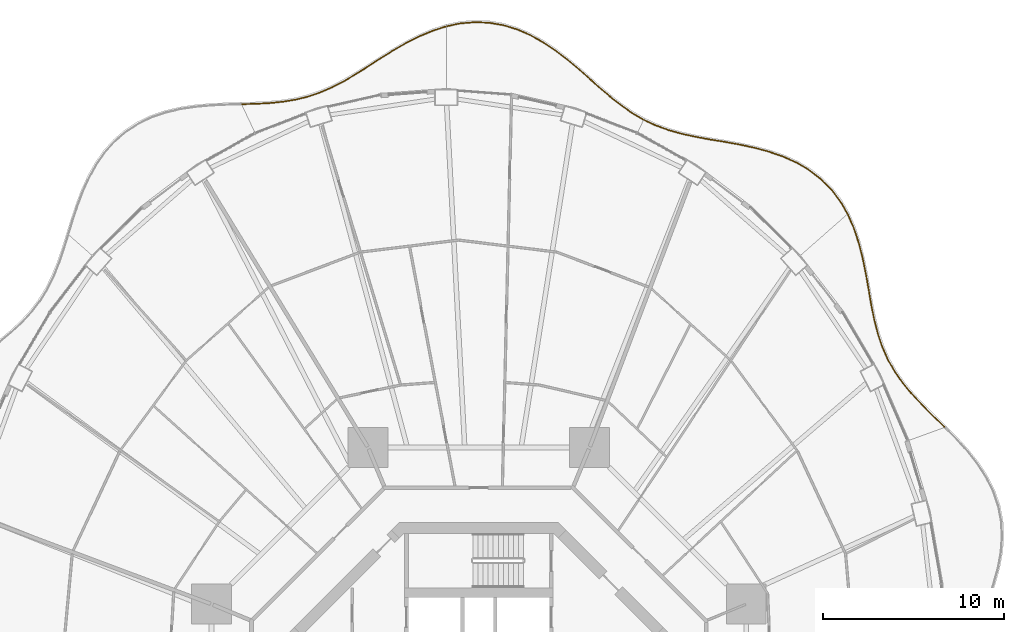
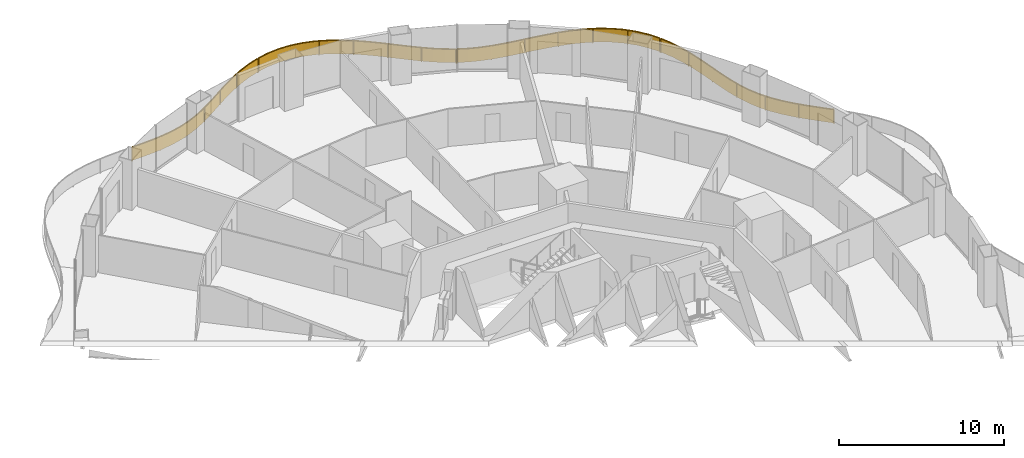
# One storey, part 22 of 22: 4 railings.
"""IFC4 building model written with IfcOpenShell, lengths in metres."""

from ifc_helpers import new_model, si_unit, direction, frame, origin, origin_2d, place, context, subcontext, project, spatial, polyline, rectangle, outline, extrude, material, type_object, element, save


model = new_model("IFC4")

# Units and contexts
model_context = context("Model", 3, precision=1e-05, world=origin(), true_north=direction((0.0, 1.0)))
body_context = subcontext(model_context, "Body", "Model", "MODEL_VIEW")
ifc_project = project(units=[si_unit("LENGTHUNIT", "METRE"), si_unit("AREAUNIT", "SQUARE_METRE"), si_unit("VOLUMEUNIT", "CUBIC_METRE"), si_unit("PLANEANGLEUNIT", "RADIAN"), si_unit("MASSUNIT", "GRAM", prefix="KILO")], contexts=[model_context])

# Site, building, storey
site_placement = place(None, origin())
site = spatial("IfcSite", under=ifc_project, at=site_placement, CompositionType="ELEMENT")
building_placement = place(site_placement, origin())
building = spatial("IfcBuilding", under=site, at=building_placement, Name="Nagisa Residences", CompositionType="ELEMENT")
storey_placement = place(building_placement, frame((0.0, 0.0, 99.199951171875)))
storey = spatial("IfcBuildingStorey", under=building, at=storey_placement, Name="L24", CompositionType="ELEMENT", Elevation=99.199951171875)

# Railings
ifc_material = material(Name="Stainless steel 316", Category="steel")
railing_type = type_object("IfcRailingType", Name="BALCONY GUARD 1100", PredefinedType="BALUSTRADE", material=ifc_material)
railing_1_placement = place(storey_placement, frame((25.73388671875, 15.923095703125, 0.0)))
element("IfcRailing", 1, at=railing_1_placement, inside=storey, type_object=railing_type, Name="guard:L24:bal01-0", PredefinedType="BALUSTRADE", context=body_context, shape_type="SweptSolid", body=[
    extrude(outline(polyline([(-0.609619140625, 0.55908203125), (-0.017578125, -0.017822265625), (0.017578125, 0.017822265625), (-0.574462890625, 0.5947265625), (-1.17822265625, 1.19482421875), (-1.74365234375, 1.795654296875), (-2.25634765625, 2.4072265625), (-2.705322265625, 3.03955078125), (-3.0791015625, 3.688720703125), (-3.39208984375, 4.386962890625), (-3.643310546875, 5.124755859375), (-3.844482421875, 5.903076171875), (-4.0107421875, 6.71826171875), (-4.15185546875, 7.551025390625), (-4.304443359375, 8.416015625), (-4.480712890625, 9.287353515625), (-4.699951171875, 10.14990234375), (-4.978271484375, 10.987548828125), (-5.30908203125, 11.740966796875), (-5.35498046875, 11.720947265625), (-5.025146484375, 10.969482421875), (-4.747802734375, 10.1357421875), (-4.529541015625, 9.276123046875), (-4.353759765625, 8.40673828125), (-4.201171875, 7.542724609375), (-4.06005859375, 6.708984375), (-3.893310546875, 5.891845703125), (-3.691162109375, 5.110595703125), (-3.4384765625, 4.368408203125), (-3.12353515625, 3.665771484375), (-2.747314453125, 3.0126953125), (-2.2958984375, 2.37646484375), (-1.78125, 1.762451171875), (-1.2138671875, 1.16015625), (-0.609619140625, 0.55908203125)])), frame((0.0, 0.0, 1.050048828125)), (0.0, 0.0, 1.0), 0.050048828125),
    extrude(outline(polyline([(-0.596923828125, 0.572021484375), (-0.0048828125, -0.005126953125), (0.0048828125, 0.005126953125), (-0.587158203125, 0.581787109375), (-1.19091796875, 1.182373046875), (-1.75732421875, 1.78369140625), (-2.2705078125, 2.396240234375), (-2.720458984375, 3.02978515625), (-3.094970703125, 3.680419921875), (-3.40869140625, 4.38037109375), (-3.66064453125, 5.11962890625), (-3.862060546875, 5.89892578125), (-4.028564453125, 6.71484375), (-4.169677734375, 7.548095703125), (-4.322265625, 8.41259765625), (-4.498291015625, 9.283203125), (-4.717041015625, 10.144775390625), (-4.9951171875, 10.98095703125), (-5.32568359375, 11.73388671875), (-5.33837890625, 11.72802734375), (-5.00830078125, 10.97607421875), (-4.730712890625, 10.140869140625), (-4.511962890625, 9.2802734375), (-4.3359375, 8.41015625), (-4.183349609375, 7.545654296875), (-4.042236328125, 6.71240234375), (-3.875732421875, 5.89599609375), (-3.673828125, 5.11572265625), (-3.421875, 4.375), (-3.107666015625, 3.674072265625), (-2.732177734375, 3.0224609375), (-2.28173828125, 2.387451171875), (-1.767578125, 1.7744140625), (-1.201171875, 1.172607421875), (-0.596923828125, 0.572021484375)])), frame((0.0, 0.0, 0.06005859375)), (0.0, 0.0, 1.0), 0.989990234375),
    extrude(rectangle(XDim=0.0400390625, YDim=0.0400390625, at=origin_2d()), origin(), (0.0, 0.0, 1.0), 1.050048828125),
    extrude(rectangle(XDim=0.0400390625, YDim=0.0400390625, at=origin_2d()), frame((-1.55615234375, 1.56005859375, 0.0)), (0.0, 0.0, 1.0), 1.050048828125),
    extrude(rectangle(XDim=0.0400390625, YDim=0.0400390625, at=origin_2d()), frame((-2.888916015625, 3.308349609375, 0.0)), (0.0, 0.0, 1.0), 1.050048828125),
    extrude(rectangle(XDim=0.0400390625, YDim=0.0400390625, at=origin_2d()), frame((-3.724609375, 5.339111328125, 0.0)), (0.0, 0.0, 1.0), 1.050048828125),
    extrude(rectangle(XDim=0.0400390625, YDim=0.0400390625, at=origin_2d()), frame((-4.16796875, 7.49658203125, 0.0)), (0.0, 0.0, 1.0), 1.050048828125),
    extrude(rectangle(XDim=0.0400390625, YDim=0.0400390625, at=origin_2d()), frame((-4.600341796875, 9.65673828125, 0.0)), (0.0, 0.0, 1.0), 1.050048828125),
    extrude(rectangle(XDim=0.0400390625, YDim=0.0400390625, at=origin_2d()), frame((-5.33203125, 11.73095703125, 0.0)), (0.0, 0.0, 1.0), 1.050048828125),
])
railing_2_placement = place(storey_placement, frame((20.3671875, 27.723388671875, 0.0)))
element("IfcRailing", 2, at=railing_2_placement, inside=storey, type_object=railing_type, Name="guard:L24:bal02-0", PredefinedType="BALUSTRADE", context=body_context, shape_type="SweptSolid", body=[
    extrude(outline(polyline([(-0.406005859375, 0.6513671875), (-0.021728515625, -0.012451171875), (0.021728515625, 0.012451171875), (-0.364501953125, 0.67919921875), (-0.85400390625, 1.32373046875), (-1.42138671875, 1.89794921875), (-2.061279296875, 2.39599609375), (-2.766357421875, 2.817138671875), (-3.51220703125, 3.153076171875), (-4.310791015625, 3.432373046875), (-5.135009765625, 3.654296875), (-5.970703125, 3.832763671875), (-6.80419921875, 3.983154296875), (-7.609130859375, 4.11376953125), (-8.4033203125, 4.260009765625), (-9.16650390625, 4.428955078125), (-9.894775390625, 4.6357421875), (-10.588623046875, 4.890869140625), (-11.212890625, 5.1845703125), (-11.234375, 5.13916015625), (-10.608154296875, 4.844482421875), (-9.910400390625, 4.587890625), (-9.1787109375, 4.380615234375), (-8.4130859375, 4.211181640625), (-7.617431640625, 4.064453125), (-6.8125, 3.933837890625), (-5.98046875, 3.783447265625), (-5.146728515625, 3.60546875), (-4.325439453125, 3.384521484375), (-3.53076171875, 3.106689453125), (-2.789306640625, 2.772705078125), (-2.089599609375, 2.3544921875), (-1.45458984375, 1.8603515625), (-0.89208984375, 1.291015625), (-0.406005859375, 0.6513671875)])), frame((0.0, 0.0, 1.050048828125)), (0.0, 0.0, 1.0), 0.050048828125),
    extrude(outline(polyline([(-0.39111328125, 0.661376953125), (-0.006103515625, -0.00341796875), (0.006103515625, 0.00341796875), (-0.37939453125, 0.669189453125), (-0.86767578125, 1.31201171875), (-1.433349609375, 1.88427734375), (-2.071533203125, 2.381103515625), (-2.774658203125, 2.801025390625), (-3.518798828125, 3.136474609375), (-4.316162109375, 3.4150390625), (-5.13916015625, 3.63671875), (-5.97412109375, 3.81494140625), (-6.80712890625, 3.96533203125), (-7.612060546875, 4.095947265625), (-8.40673828125, 4.242431640625), (-9.1708984375, 4.41162109375), (-9.900390625, 4.618408203125), (-10.595703125, 4.8740234375), (-11.220703125, 5.168212890625), (-11.2265625, 5.155517578125), (-10.60107421875, 4.861328125), (-9.90478515625, 4.605224609375), (-9.17431640625, 4.39794921875), (-8.40966796875, 4.228759765625), (-7.614501953125, 4.082275390625), (-6.8095703125, 3.95166015625), (-5.97705078125, 3.80126953125), (-5.142578125, 3.623046875), (-4.320068359375, 3.40185546875), (-3.524169921875, 3.123291015625), (-2.781005859375, 2.788818359375), (-2.079345703125, 2.369384765625), (-1.442626953125, 1.8740234375), (-0.87841796875, 1.302734375), (-0.39111328125, 0.661376953125)])), frame((0.0, 0.0, 0.06005859375)), (0.0, 0.0, 1.0), 0.989990234375),
    extrude(rectangle(XDim=0.0400390625, YDim=0.0400390625, at=origin_2d()), origin(), (0.0, 0.0, 1.0), 1.050048828125),
    extrude(rectangle(XDim=0.0400390625, YDim=0.0400390625, at=origin_2d()), frame((-1.26708984375, 1.7060546875, 0.0)), (0.0, 0.0, 1.0), 1.050048828125),
    extrude(rectangle(XDim=0.0400390625, YDim=0.0400390625, at=origin_2d()), frame((-3.020751953125, 2.904296875, 0.0)), (0.0, 0.0, 1.0), 1.050048828125),
    extrude(rectangle(XDim=0.0400390625, YDim=0.0400390625, at=origin_2d()), frame((-5.03515625, 3.601318359375, 0.0)), (0.0, 0.0, 1.0), 1.050048828125),
    extrude(rectangle(XDim=0.0400390625, YDim=0.0400390625, at=origin_2d()), frame((-7.130615234375, 4.0107421875, 0.0)), (0.0, 0.0, 1.0), 1.050048828125),
    extrude(rectangle(XDim=0.0400390625, YDim=0.0400390625, at=origin_2d()), frame((-9.225830078125, 4.419921875, 0.0)), (0.0, 0.0, 1.0), 1.050048828125),
    extrude(rectangle(XDim=0.0400390625, YDim=0.0400390625, at=origin_2d()), frame((-11.2236328125, 5.161865234375, 0.0)), (0.0, 0.0, 1.0), 1.050048828125),
])
railing_3_placement = place(storey_placement, frame((9.082763671875, 32.91748046875, 0.0)))
element("IfcRailing", 3, at=railing_3_placement, inside=storey, type_object=railing_type, Name="guard:L24:bal03-0", PredefinedType="BALUSTRADE", context=body_context, shape_type="SweptSolid", body=[
    extrude(outline(polyline([(-0.59130859375, 0.3154296875), (-0.0126953125, -0.021728515625), (0.0126953125, 0.021728515625), (-0.564453125, 0.35791015625), (-1.160888671875, 0.769287109375), (-1.74853515625, 1.2294921875), (-2.336181640625, 1.729248046875), (-2.931640625, 2.256103515625), (-3.526611328125, 2.78857421875), (-4.160888671875, 3.3193359375), (-4.821533203125, 3.82421875), (-5.511474609375, 4.28515625), (-6.23046875, 4.68359375), (-6.960205078125, 5.00244140625), (-7.7275390625, 5.234375), (-8.51318359375, 5.368408203125), (-9.30859375, 5.40087890625), (-10.10595703125, 5.332275390625), (-10.85009765625, 5.17578125), (-10.83984375, 5.126953125), (-10.0986328125, 5.282470703125), (-9.3076171875, 5.3505859375), (-8.5185546875, 5.318603515625), (-7.7392578125, 5.185546875), (-6.977294921875, 4.95556640625), (-6.25244140625, 4.638671875), (-5.537353515625, 4.2421875), (-4.850830078125, 3.78369140625), (-4.192138671875, 3.2802734375), (-3.559326171875, 2.75048828125), (-2.96484375, 2.218505859375), (-2.368896484375, 1.691650390625), (-1.7802734375, 1.19091796875), (-1.190673828125, 0.728759765625), (-0.59130859375, 0.3154296875)])), frame((0.0, 0.0, 1.050048828125)), (0.0, 0.0, 1.0), 0.050048828125),
    extrude(outline(polyline([(-0.58154296875, 0.330810546875), (-0.00341796875, -0.006103515625), (0.00341796875, 0.006103515625), (-0.57421875, 0.342529296875), (-1.171630859375, 0.754638671875), (-1.760009765625, 1.215576171875), (-2.347900390625, 1.7158203125), (-2.943603515625, 2.242431640625), (-3.538330078125, 2.77490234375), (-4.172119140625, 3.30517578125), (-4.83203125, 3.8095703125), (-5.520751953125, 4.269775390625), (-6.23828125, 4.66748046875), (-6.96630859375, 4.985595703125), (-7.731689453125, 5.216796875), (-8.51513671875, 5.3505859375), (-9.308349609375, 5.3828125), (-10.103271484375, 5.314208984375), (-10.846435546875, 5.158203125), (-10.843505859375, 5.14453125), (-10.101318359375, 5.300537109375), (-9.307861328125, 5.36865234375), (-8.5166015625, 5.33642578125), (-7.735107421875, 5.203125), (-6.97119140625, 4.972412109375), (-6.24462890625, 4.65478515625), (-5.528076171875, 4.257568359375), (-4.84033203125, 3.79833984375), (-4.180908203125, 3.29443359375), (-3.547607421875, 2.76416015625), (-2.952880859375, 2.232177734375), (-2.357177734375, 1.705078125), (-1.768798828125, 1.204833984375), (-1.179931640625, 0.743408203125), (-0.58154296875, 0.330810546875)])), frame((0.0, 0.0, 0.06005859375)), (0.0, 0.0, 1.0), 0.989990234375),
    extrude(rectangle(XDim=0.0400390625, YDim=0.0400390625, at=origin_2d()), origin(), (0.0, 0.0, 1.0), 1.050048828125),
    extrude(rectangle(XDim=0.0400390625, YDim=0.0400390625, at=origin_2d()), frame((-1.723876953125, 1.178466796875, 0.0)), (0.0, 0.0, 1.0), 1.050048828125),
    extrude(rectangle(XDim=0.0400390625, YDim=0.0400390625, at=origin_2d()), frame((-3.300048828125, 2.55224609375, 0.0)), (0.0, 0.0, 1.0), 1.050048828125),
    extrude(rectangle(XDim=0.0400390625, YDim=0.0400390625, at=origin_2d()), frame((-4.9267578125, 3.864501953125, 0.0)), (0.0, 0.0, 1.0), 1.050048828125),
    extrude(rectangle(XDim=0.0400390625, YDim=0.0400390625, at=origin_2d()), frame((-6.747802734375, 4.882568359375, 0.0)), (0.0, 0.0, 1.0), 1.050048828125),
    extrude(rectangle(XDim=0.0400390625, YDim=0.0400390625, at=origin_2d()), frame((-8.7734375, 5.35400390625, 0.0)), (0.0, 0.0, 1.0), 1.050048828125),
    extrude(rectangle(XDim=0.0400390625, YDim=0.0400390625, at=origin_2d()), frame((-10.844970703125, 5.1513671875, 0.0)), (0.0, 0.0, 1.0), 1.050048828125),
])
railing_4_placement = place(storey_placement, frame((-1.8369140625, 38.04833984375, 0.0)))
element("IfcRailing", 4, at=railing_4_placement, inside=storey, type_object=railing_type, Name="guard:L24:bal04-0", PredefinedType="BALUSTRADE", context=body_context, shape_type="SweptSolid", body=[
    extrude(outline(polyline([(-0.72314453125, -0.26025390625), (0.0078125, -0.02392578125), (-0.0078125, 0.02392578125), (-0.74072265625, -0.21337890625), (-1.503173828125, -0.5361328125), (-2.244873046875, -0.914794921875), (-2.9638671875, -1.331298828125), (-3.66064453125, -1.766357421875), (-4.320556640625, -2.1982421875), (-4.98291015625, -2.61474609375), (-5.63671875, -2.998046875), (-6.287841796875, -3.335693359375), (-6.944580078125, -3.6201171875), (-7.59716796875, -3.841796875), (-8.285400390625, -4.011474609375), (-8.996826171875, -4.12841796875), (-9.7353515625, -4.201904296875), (-10.500244140625, -4.242919921875), (-11.243896484375, -4.262939453125), (-11.242431640625, -4.312744140625), (-10.498291015625, -4.292724609375), (-9.7314453125, -4.251708984375), (-8.990478515625, -4.17822265625), (-8.275146484375, -4.060302734375), (-7.5830078125, -3.8896484375), (-6.926513671875, -3.6669921875), (-6.266357421875, -3.381103515625), (-5.6123046875, -3.0419921875), (-4.95703125, -2.65771484375), (-4.293701171875, -2.240234375), (-3.6337890625, -1.808349609375), (-2.93798828125, -1.374267578125), (-2.220947265625, -0.958740234375), (-1.482177734375, -0.58154296875), (-0.72314453125, -0.26025390625)])), frame((0.0, 0.0, 1.050048828125)), (0.0, 0.0, 1.0), 0.050048828125),
    extrude(outline(polyline([(-0.7294921875, -0.243408203125), (0.002197265625, -0.006591796875), (-0.002197265625, 0.006591796875), (-0.734375, -0.230224609375), (-1.49560546875, -0.552490234375), (-2.236328125, -0.9306640625), (-2.95458984375, -1.3466796875), (-3.65087890625, -1.781494140625), (-4.310791015625, -2.21337890625), (-4.9736328125, -2.630126953125), (-5.6279296875, -3.013916015625), (-6.280029296875, -3.35205078125), (-6.93798828125, -3.636962890625), (-7.592041015625, -3.85888671875), (-8.28173828125, -4.029052734375), (-8.99462890625, -4.146484375), (-9.73388671875, -4.2197265625), (-10.49951171875, -4.2607421875), (-11.243408203125, -4.28076171875), (-11.242919921875, -4.294921875), (-10.4990234375, -4.27490234375), (-9.73291015625, -4.23388671875), (-8.99267578125, -4.16015625), (-8.27880859375, -4.042724609375), (-7.588134765625, -3.87255859375), (-6.93310546875, -3.650146484375), (-6.274169921875, -3.36474609375), (-5.62109375, -3.026123046875), (-4.96630859375, -2.642333984375), (-4.303466796875, -2.22509765625), (-3.6435546875, -1.793212890625), (-2.947265625, -1.35888671875), (-2.2294921875, -0.94287109375), (-1.48974609375, -0.565185546875), (-0.7294921875, -0.243408203125)])), frame((0.0, 0.0, 0.06005859375)), (0.0, 0.0, 1.0), 0.989990234375),
    extrude(rectangle(XDim=0.0400390625, YDim=0.0400390625, at=origin_2d()), origin(), (0.0, 0.0, 1.0), 1.050048828125),
    extrude(rectangle(XDim=0.0400390625, YDim=0.0400390625, at=origin_2d()), frame((-1.888671875, -0.760986328125, 0.0)), (0.0, 0.0, 1.0), 1.050048828125),
    extrude(rectangle(XDim=0.0400390625, YDim=0.0400390625, at=origin_2d()), frame((-3.649658203125, -1.788818359375, 0.0)), (0.0, 0.0, 1.0), 1.050048828125),
    extrude(rectangle(XDim=0.0400390625, YDim=0.0400390625, at=origin_2d()), frame((-5.376220703125, -2.87451171875, 0.0)), (0.0, 0.0, 1.0), 1.050048828125),
    extrude(rectangle(XDim=0.0400390625, YDim=0.0400390625, at=origin_2d()), frame((-7.21923828125, -3.73974609375, 0.0)), (0.0, 0.0, 1.0), 1.050048828125),
    extrude(rectangle(XDim=0.0400390625, YDim=0.0400390625, at=origin_2d()), frame((-9.20703125, -4.174560546875, 0.0)), (0.0, 0.0, 1.0), 1.050048828125),
    extrude(rectangle(XDim=0.0400390625, YDim=0.0400390625, at=origin_2d()), frame((-11.2431640625, -4.287841796875, 0.0)), (0.0, 0.0, 1.0), 1.050048828125),
])

save(model, "model.ifc")
